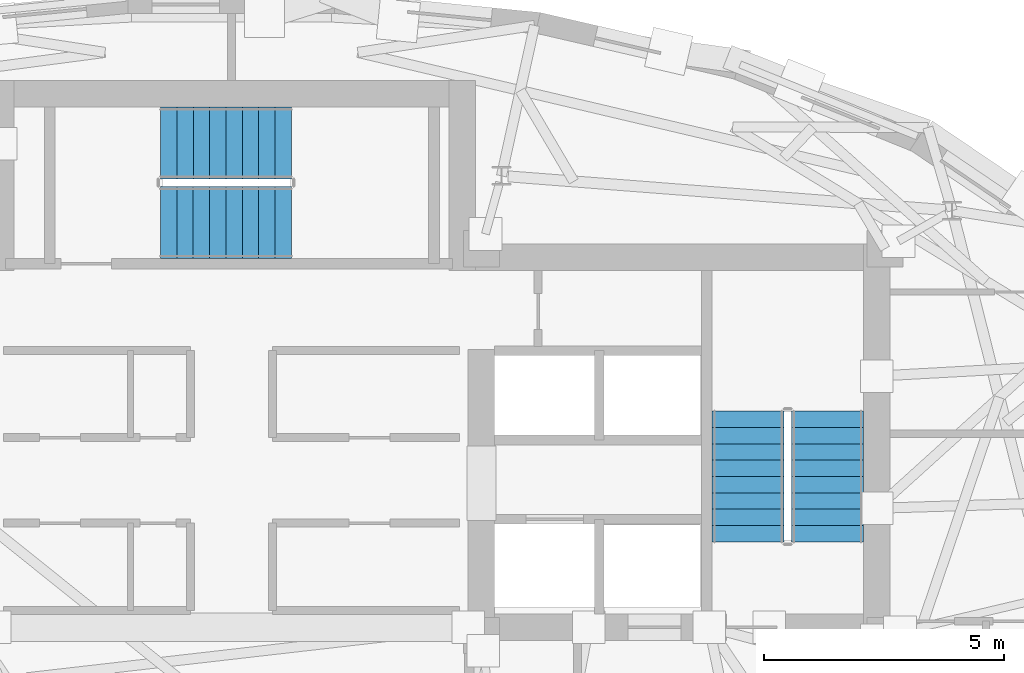
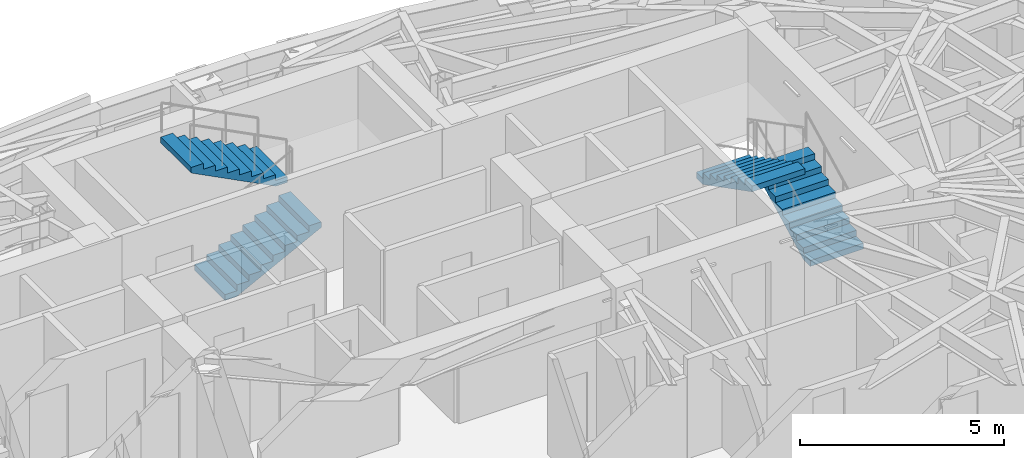
# One storey, part 10 of 13: 4 stair flights, 2 elements without a shape of their own.
"""IFC4 building model written with IfcOpenShell, lengths in metres."""

from ifc_helpers import new_model, si_unit, direction, frame, origin, place, context, subcontext, project, spatial, polyline, outline, extrude, material, type_object, element, aggregate, save


model = new_model("IFC4")

# Units and contexts
model_context = context("Model", 3, precision=1e-05, world=origin(), true_north=direction((0.0, 1.0)))
body_context = subcontext(model_context, "Body", "Model", "MODEL_VIEW")
ifc_project = project(units=[si_unit("LENGTHUNIT", "METRE"), si_unit("AREAUNIT", "SQUARE_METRE"), si_unit("VOLUMEUNIT", "CUBIC_METRE"), si_unit("PLANEANGLEUNIT", "RADIAN"), si_unit("MASSUNIT", "GRAM", prefix="KILO")], contexts=[model_context])

# Site, building, storey
site_placement = place(None, origin())
site = spatial("IfcSite", under=ifc_project, at=site_placement, CompositionType="ELEMENT")
building_placement = place(site_placement, origin())
building = spatial("IfcBuilding", under=site, at=building_placement, Name="Keldmark Tower", CompositionType="ELEMENT")
storey_placement = place(building_placement, frame((0.0, 0.0, 244.64990234375)))
storey = spatial("IfcBuildingStorey", under=building, at=storey_placement, Name="L69", CompositionType="ELEMENT", Elevation=244.64990234375)

# Stair, stair flights
ifc_material_1 = material(Name="Concrete C40/50", Category="concrete")
stair_type = type_object("IfcStairType", Name="Precast Concrete Core Exit Stair", PredefinedType="HALF_TURN_STAIR", material=ifc_material_1)
stair_1_placement = place(storey_placement, origin())
stair_1 = element("IfcStair", 1, at=stair_1_placement, inside=storey, type_object=stair_type, Name="L69 Exit Stair ST2", PredefinedType="HALF_TURN_STAIR")
ifc_material_2 = material(Name="Concrete C40/50", Category="concrete")
stair_flight_type = type_object("IfcStairFlightType", Name="Precast Concrete Stair Flight 1500 mm", PredefinedType="STRAIGHT", material=ifc_material_2)
stair_flight_1_placement = place(storey_placement, frame((12.39990234375, 3.35009765625, 0.0), z_axis=(0.0, 0.0, 1.0), x_axis=(0.0, 1.0, 0.0)))
stair_flight_1 = element("IfcStairFlight", 2, at=stair_flight_1_placement, type_object=stair_flight_type, Name="ST2 flight 1", NumberOfRisers=9, NumberOfTreads=8, PredefinedType="STRAIGHT", RiserHeight=0.175, TreadLength=0.34, context=body_context, shape_type="SweptSolid", body=[
    extrude(outline(polyline([(0.0, 0.0), (0.0, 0.175048828125), (0.340087890625, 0.175048828125), (0.340087890625, 0.35009765625), (0.679931640625, 0.35009765625), (0.679931640625, 0.52490234375), (1.02001953125, 0.52490234375), (1.02001953125, 0.699951171875), (1.360107421875, 0.699951171875), (1.360107421875, 0.875), (1.699951171875, 0.875), (1.699951171875, 1.050048828125), (2.0400390625, 1.050048828125), (2.0400390625, 1.22509765625), (2.3798828125, 1.22509765625), (2.3798828125, 1.39990234375), (2.719970703125, 1.39990234375), (2.719970703125, 1.574951171875), (2.719970703125, 1.2314453125), (0.32763671875, 0.0), (0.0, 0.0)])), frame((0.0, 0.75, 0.0), z_axis=(0.0, -1.0, 0.0), x_axis=(1.0, 0.0, 0.0)), (0.0, 0.0, 1.0), 1.5),
])
stair_flight_2_placement = place(storey_placement, frame((10.75, 6.070068359375, 1.5751953125), z_axis=(0.0, 0.0, 1.0), x_axis=(0.0, -1.0, 0.0)))
stair_flight_2 = element("IfcStairFlight", 3, at=stair_flight_2_placement, type_object=stair_flight_type, Name="ST2 flight 2", NumberOfRisers=9, NumberOfTreads=8, PredefinedType="STRAIGHT", RiserHeight=0.175, TreadLength=0.34, context=body_context, shape_type="SweptSolid", body=[
    extrude(outline(polyline([(0.0, 0.0), (0.0, 0.175048828125), (0.340087890625, 0.175048828125), (0.340087890625, 0.35009765625), (0.679931640625, 0.35009765625), (0.679931640625, 0.52490234375), (1.02001953125, 0.52490234375), (1.02001953125, 0.699951171875), (1.360107421875, 0.699951171875), (1.360107421875, 0.875), (1.699951171875, 0.875), (1.699951171875, 1.050048828125), (2.0400390625, 1.050048828125), (2.0400390625, 1.22509765625), (2.3798828125, 1.22509765625), (2.3798828125, 1.39990234375), (2.719970703125, 1.39990234375), (2.719970703125, 1.574951171875), (2.719970703125, 1.2314453125), (0.32763671875, 0.0), (0.0, 0.0)])), frame((0.0, 0.75, 0.0), z_axis=(0.0, -1.0, 0.0), x_axis=(1.0, 0.0, 0.0)), (0.0, 0.0, 1.0), 1.5),
])
aggregate(stair_1, [stair_flight_1, stair_flight_2])

stair_2_placement = place(storey_placement, origin())
stair_2 = element("IfcStair", 4, at=stair_2_placement, inside=storey, type_object=stair_type, Name="L69 Exit Stair ST3", PredefinedType="HALF_TURN_STAIR")
stair_flight_3_placement = place(storey_placement, frame((-1.47509765625, 10.0, 0.0), z_axis=(0.0, 0.0, 1.0), x_axis=(1.0, 0.0, 0.0)))
stair_flight_3 = element("IfcStairFlight", 5, at=stair_flight_3_placement, type_object=stair_flight_type, Name="ST3 flight 1", NumberOfRisers=9, NumberOfTreads=8, PredefinedType="STRAIGHT", RiserHeight=0.175, TreadLength=0.34, context=body_context, shape_type="SweptSolid", body=[
    extrude(outline(polyline([(0.0, 0.0), (0.0, 0.175048828125), (0.340087890625, 0.175048828125), (0.340087890625, 0.35009765625), (0.679931640625, 0.35009765625), (0.679931640625, 0.52490234375), (1.02001953125, 0.52490234375), (1.02001953125, 0.699951171875), (1.360107421875, 0.699951171875), (1.360107421875, 0.875), (1.699951171875, 0.875), (1.699951171875, 1.050048828125), (2.0400390625, 1.050048828125), (2.0400390625, 1.22509765625), (2.3798828125, 1.22509765625), (2.3798828125, 1.39990234375), (2.719970703125, 1.39990234375), (2.719970703125, 1.574951171875), (2.719970703125, 1.2314453125), (0.32763671875, 0.0), (0.0, 0.0)])), frame((0.0, 0.75, 0.0), z_axis=(0.0, -1.0, 0.0), x_axis=(1.0, 0.0, 0.0)), (0.0, 0.0, 1.0), 1.5),
])
stair_flight_4_placement = place(storey_placement, frame((1.2451171875, 11.64990234375, 1.5751953125), z_axis=(0.0, 0.0, 1.0), x_axis=(-1.0, 0.0, 0.0)))
stair_flight_4 = element("IfcStairFlight", 6, at=stair_flight_4_placement, type_object=stair_flight_type, Name="ST3 flight 2", NumberOfRisers=9, NumberOfTreads=8, PredefinedType="STRAIGHT", RiserHeight=0.175, TreadLength=0.34, context=body_context, shape_type="SweptSolid", body=[
    extrude(outline(polyline([(0.0, 0.0), (0.0, 0.175048828125), (0.340087890625, 0.175048828125), (0.340087890625, 0.35009765625), (0.679931640625, 0.35009765625), (0.679931640625, 0.52490234375), (1.02001953125, 0.52490234375), (1.02001953125, 0.699951171875), (1.360107421875, 0.699951171875), (1.360107421875, 0.875), (1.699951171875, 0.875), (1.699951171875, 1.050048828125), (2.0400390625, 1.050048828125), (2.0400390625, 1.22509765625), (2.3798828125, 1.22509765625), (2.3798828125, 1.39990234375), (2.719970703125, 1.39990234375), (2.719970703125, 1.574951171875), (2.719970703125, 1.2314453125), (0.32763671875, 0.0), (0.0, 0.0)])), frame((0.0, 0.75, 0.0), z_axis=(0.0, -1.0, 0.0), x_axis=(1.0, 0.0, 0.0)), (0.0, 0.0, 1.0), 1.5),
])
aggregate(stair_2, [stair_flight_3, stair_flight_4])

save(model, "model.ifc")
